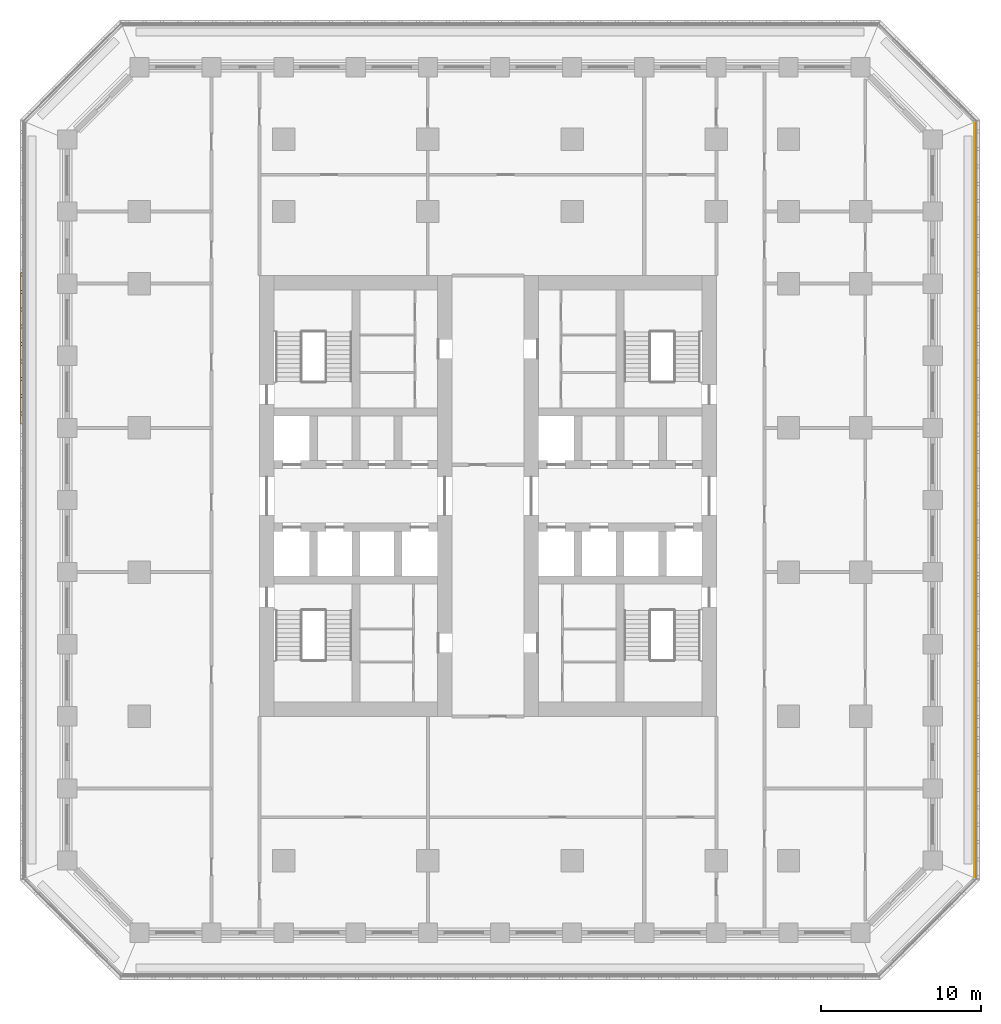
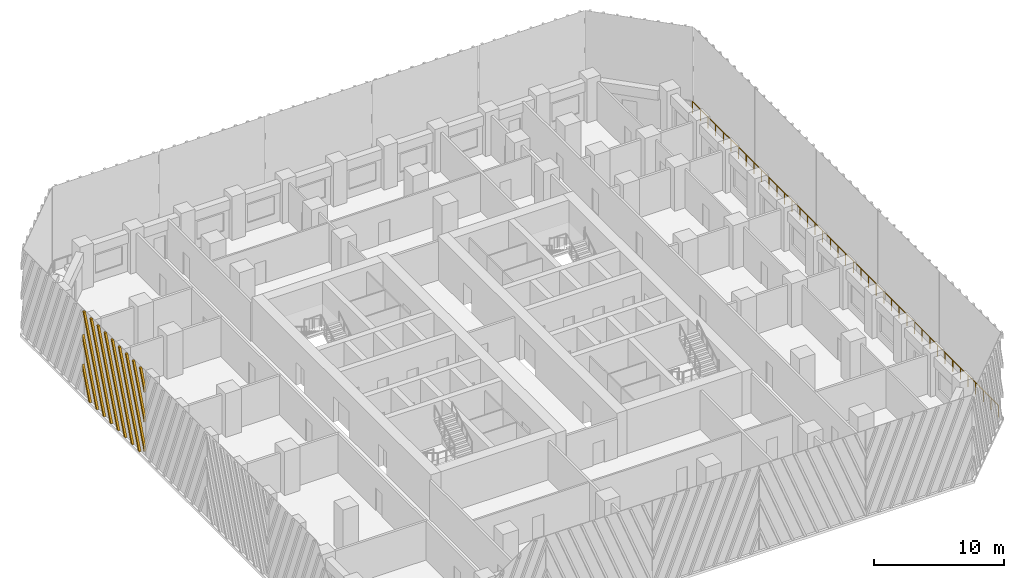
# One storey, part 14 of 19: 1 railing, 1 shading device.
"""IFC4 building model written with IfcOpenShell, lengths in metres."""

from ifc_helpers import new_model, si_unit, direction, frame, origin, origin_2d, place, context, subcontext, project, spatial, polyline, circle, outline, extrude, source, transform, mapped, material, type_object, element, save


model = new_model("IFC4")

# Units and contexts
model_context = context("Model", 3, precision=1e-05, world=origin(), true_north=direction((0.0, 1.0)))
body_context = subcontext(model_context, "Body", "Model", "MODEL_VIEW")
ifc_project = project(units=[si_unit("LENGTHUNIT", "METRE"), si_unit("AREAUNIT", "SQUARE_METRE"), si_unit("VOLUMEUNIT", "CUBIC_METRE"), si_unit("PLANEANGLEUNIT", "RADIAN"), si_unit("MASSUNIT", "GRAM", prefix="KILO")], contexts=[model_context])

# Site, building, storey
site_placement = place(None, origin())
site = spatial("IfcSite", under=ifc_project, at=site_placement, CompositionType="ELEMENT")
building_placement = place(site_placement, origin())
building = spatial("IfcBuilding", under=site, at=building_placement, Name="Corbel Stack Research Tower", CompositionType="ELEMENT")
storey_placement = place(building_placement, frame((0.0, 0.0, 90.199951171875)))
storey = spatial("IfcBuildingStorey", under=building, at=storey_placement, Name="L20", CompositionType="ELEMENT", Elevation=90.199951171875)

# Railing
ifc_material_1 = material(Name="Powder-coated steel guard", Category="steel")
railing_type = type_object("IfcRailingType", Name="Steel and glass guard 1100", PredefinedType="GUARDRAIL", material=ifc_material_1)
railing_placement = place(storey_placement, frame((34.10009765625, -19.00537109375, 0.0)))
element("IfcRailing", 1, at=railing_placement, inside=storey, type_object=railing_type, Name="Loggia guard L20 E", PredefinedType="GUARDRAIL", context=body_context, shape_type="SweptSolid", body=[
    extrude(circle(Radius=0.02392578125, at=origin_2d()), frame((0.0, 0.0, 1.076171875), z_axis=(0.0, 1.0, 0.0), x_axis=(-1.0, 0.0, 0.0)), (0.0, 0.0, 1.0), 47.0107421875),
    extrude(circle(Radius=0.02099609375, at=origin_2d()), origin(), (0.0, 0.0, 1.0), 1.052001953125),
    extrude(circle(Radius=0.02099609375, at=origin_2d()), frame((0.0, 1.17529296875, 0.0)), (0.0, 0.0, 1.0), 1.052001953125),
    extrude(circle(Radius=0.02099609375, at=origin_2d()), frame((0.0, 2.3505859375, 0.0)), (0.0, 0.0, 1.0), 1.052001953125),
    extrude(circle(Radius=0.02099609375, at=origin_2d()), frame((0.0, 3.52587890625, 0.0)), (0.0, 0.0, 1.0), 1.052001953125),
    extrude(circle(Radius=0.02099609375, at=origin_2d()), frame((0.0, 4.701171875, 0.0)), (0.0, 0.0, 1.0), 1.052001953125),
    extrude(circle(Radius=0.02099609375, at=origin_2d()), frame((0.0, 5.87646484375, 0.0)), (0.0, 0.0, 1.0), 1.052001953125),
    extrude(circle(Radius=0.02099609375, at=origin_2d()), frame((0.0, 7.051513671875, 0.0)), (0.0, 0.0, 1.0), 1.052001953125),
    extrude(circle(Radius=0.02099609375, at=origin_2d()), frame((0.0, 8.226806640625, 0.0)), (0.0, 0.0, 1.0), 1.052001953125),
    extrude(circle(Radius=0.02099609375, at=origin_2d()), frame((0.0, 9.402099609375, 0.0)), (0.0, 0.0, 1.0), 1.052001953125),
    extrude(circle(Radius=0.02099609375, at=origin_2d()), frame((0.0, 10.577392578125, 0.0)), (0.0, 0.0, 1.0), 1.052001953125),
    extrude(circle(Radius=0.02099609375, at=origin_2d()), frame((0.0, 11.752685546875, 0.0)), (0.0, 0.0, 1.0), 1.052001953125),
    extrude(circle(Radius=0.02099609375, at=origin_2d()), frame((0.0, 12.927978515625, 0.0)), (0.0, 0.0, 1.0), 1.052001953125),
    extrude(circle(Radius=0.02099609375, at=origin_2d()), frame((0.0, 14.103271484375, 0.0)), (0.0, 0.0, 1.0), 1.052001953125),
    extrude(circle(Radius=0.02099609375, at=origin_2d()), frame((0.0, 15.278564453125, 0.0)), (0.0, 0.0, 1.0), 1.052001953125),
    extrude(circle(Radius=0.02099609375, at=origin_2d()), frame((0.0, 16.453857421875, 0.0)), (0.0, 0.0, 1.0), 1.052001953125),
    extrude(circle(Radius=0.02099609375, at=origin_2d()), frame((0.0, 17.62890625, 0.0)), (0.0, 0.0, 1.0), 1.052001953125),
    extrude(circle(Radius=0.02099609375, at=origin_2d()), frame((0.0, 18.80419921875, 0.0)), (0.0, 0.0, 1.0), 1.052001953125),
    extrude(circle(Radius=0.02099609375, at=origin_2d()), frame((0.0, 19.9794921875, 0.0)), (0.0, 0.0, 1.0), 1.052001953125),
    extrude(circle(Radius=0.02099609375, at=origin_2d()), frame((0.0, 21.15478515625, 0.0)), (0.0, 0.0, 1.0), 1.052001953125),
    extrude(circle(Radius=0.02099609375, at=origin_2d()), frame((0.0, 22.330078125, 0.0)), (0.0, 0.0, 1.0), 1.052001953125),
    extrude(circle(Radius=0.02099609375, at=origin_2d()), frame((0.0, 23.50537109375, 0.0)), (0.0, 0.0, 1.0), 1.052001953125),
    extrude(circle(Radius=0.02099609375, at=origin_2d()), frame((0.0, 24.6806640625, 0.0)), (0.0, 0.0, 1.0), 1.052001953125),
    extrude(circle(Radius=0.02099609375, at=origin_2d()), frame((0.0, 25.85595703125, 0.0)), (0.0, 0.0, 1.0), 1.052001953125),
    extrude(circle(Radius=0.02099609375, at=origin_2d()), frame((0.0, 27.03125, 0.0)), (0.0, 0.0, 1.0), 1.052001953125),
    extrude(circle(Radius=0.02099609375, at=origin_2d()), frame((0.0, 28.20654296875, 0.0)), (0.0, 0.0, 1.0), 1.052001953125),
    extrude(circle(Radius=0.02099609375, at=origin_2d()), frame((0.0, 29.3818359375, 0.0)), (0.0, 0.0, 1.0), 1.052001953125),
    extrude(circle(Radius=0.02099609375, at=origin_2d()), frame((0.0, 30.556884765625, 0.0)), (0.0, 0.0, 1.0), 1.052001953125),
    extrude(circle(Radius=0.02099609375, at=origin_2d()), frame((0.0, 31.732177734375, 0.0)), (0.0, 0.0, 1.0), 1.052001953125),
    extrude(circle(Radius=0.02099609375, at=origin_2d()), frame((0.0, 32.907470703125, 0.0)), (0.0, 0.0, 1.0), 1.052001953125),
    extrude(circle(Radius=0.02099609375, at=origin_2d()), frame((0.0, 34.082763671875, 0.0)), (0.0, 0.0, 1.0), 1.052001953125),
    extrude(circle(Radius=0.02099609375, at=origin_2d()), frame((0.0, 35.258056640625, 0.0)), (0.0, 0.0, 1.0), 1.052001953125),
    extrude(circle(Radius=0.02099609375, at=origin_2d()), frame((0.0, 36.433349609375, 0.0)), (0.0, 0.0, 1.0), 1.052001953125),
    extrude(circle(Radius=0.02099609375, at=origin_2d()), frame((0.0, 37.608642578125, 0.0)), (0.0, 0.0, 1.0), 1.052001953125),
    extrude(circle(Radius=0.02099609375, at=origin_2d()), frame((0.0, 38.783935546875, 0.0)), (0.0, 0.0, 1.0), 1.052001953125),
    extrude(circle(Radius=0.02099609375, at=origin_2d()), frame((0.0, 39.959228515625, 0.0)), (0.0, 0.0, 1.0), 1.052001953125),
    extrude(circle(Radius=0.02099609375, at=origin_2d()), frame((0.0, 41.13427734375, 0.0)), (0.0, 0.0, 1.0), 1.052001953125),
    extrude(circle(Radius=0.02099609375, at=origin_2d()), frame((0.0, 42.3095703125, 0.0)), (0.0, 0.0, 1.0), 1.052001953125),
    extrude(circle(Radius=0.02099609375, at=origin_2d()), frame((0.0, 43.48486328125, 0.0)), (0.0, 0.0, 1.0), 1.052001953125),
    extrude(circle(Radius=0.02099609375, at=origin_2d()), frame((0.0, 44.66015625, 0.0)), (0.0, 0.0, 1.0), 1.052001953125),
    extrude(circle(Radius=0.02099609375, at=origin_2d()), frame((0.0, 45.83544921875, 0.0)), (0.0, 0.0, 1.0), 1.052001953125),
    extrude(circle(Radius=0.02099609375, at=origin_2d()), frame((0.0, 47.0107421875, 0.0)), (0.0, 0.0, 1.0), 1.052001953125),
])

# Shading device
ifc_material_2 = material(Name="Precast terracotta", Category="masonry")
shading_device_type = type_object("IfcShadingDeviceType", Name="Terracotta screen panel", PredefinedType="USERDEFINED", material=ifc_material_2)
shared_shape = source(origin(), body_context, "Body", "SweptSolid", [
    extrude(outline(polyline([(1.14453125, 0.0), (0.0, 2.930419921875), (0.0, 2.44384765625), (0.95458984375, 0.0), (1.14453125, 0.0)])), frame((0.0, 0.0, 0.0), z_axis=(0.0, -1.0, 0.0), x_axis=(1.0, 0.0, 0.0)), (0.0, 0.0, 1.0), 0.179931640625),
    extrude(outline(polyline([(2.22900390625, 0.0), (0.0, 5.707763671875), (0.0, 5.22119140625), (2.0390625, 0.0), (2.22900390625, 0.0)])), frame((0.0, 0.0, 0.0), z_axis=(0.0, -1.0, 0.0), x_axis=(1.0, 0.0, 0.0)), (0.0, 0.0, 1.0), 0.179931640625),
    extrude(outline(polyline([(3.313720703125, 0.0), (0.208984375, 7.949951171875), (0.01904296875, 7.949951171875), (3.123779296875, 0.0), (3.313720703125, 0.0)])), frame((0.0, 0.0, 0.0), z_axis=(0.0, -1.0, 0.0), x_axis=(1.0, 0.0, 0.0)), (0.0, 0.0, 1.0), 0.179931640625),
    extrude(outline(polyline([(4.3984375, 0.0), (1.293701171875, 7.949951171875), (1.103515625, 7.949951171875), (4.20849609375, 0.0), (4.3984375, 0.0)])), frame((0.0, 0.0, 0.0), z_axis=(0.0, -1.0, 0.0), x_axis=(1.0, 0.0, 0.0)), (0.0, 0.0, 1.0), 0.179931640625),
    extrude(outline(polyline([(5.483154296875, 0.0), (2.37841796875, 7.949951171875), (2.188232421875, 7.949951171875), (5.293212890625, 0.0), (5.483154296875, 0.0)])), frame((0.0, 0.0, 0.0), z_axis=(0.0, -1.0, 0.0), x_axis=(1.0, 0.0, 0.0)), (0.0, 0.0, 1.0), 0.179931640625),
    extrude(outline(polyline([(6.56787109375, 0.0), (3.462890625, 7.949951171875), (3.27294921875, 7.949951171875), (6.377685546875, 0.0), (6.56787109375, 0.0)])), frame((0.0, 0.0, 0.0), z_axis=(0.0, -1.0, 0.0), x_axis=(1.0, 0.0, 0.0)), (0.0, 0.0, 1.0), 0.179931640625),
    extrude(outline(polyline([(7.652587890625, 0.0), (4.547607421875, 7.949951171875), (4.357666015625, 7.949951171875), (7.46240234375, 0.0), (7.652587890625, 0.0)])), frame((0.0, 0.0, 0.0), z_axis=(0.0, -1.0, 0.0), x_axis=(1.0, 0.0, 0.0)), (0.0, 0.0, 1.0), 0.179931640625),
    extrude(outline(polyline([(8.737060546875, 0.0), (5.63232421875, 7.949951171875), (5.4423828125, 7.949951171875), (8.547119140625, 0.0), (8.737060546875, 0.0)])), frame((0.0, 0.0, 0.0), z_axis=(0.0, -1.0, 0.0), x_axis=(1.0, 0.0, 0.0)), (0.0, 0.0, 1.0), 0.179931640625),
    extrude(outline(polyline([(6.716796875, 7.949951171875), (6.52685546875, 7.949951171875), (9.45556640625, 0.451171875), (9.45556640625, 0.9375), (6.716796875, 7.949951171875)])), frame((0.0, 0.0, 0.0), z_axis=(0.0, -1.0, 0.0), x_axis=(1.0, 0.0, 0.0)), (0.0, 0.0, 1.0), 0.179931640625),
    extrude(outline(polyline([(7.801513671875, 7.949951171875), (7.611572265625, 7.949951171875), (9.45556640625, 3.228515625), (9.45556640625, 3.71484375), (7.801513671875, 7.949951171875)])), frame((0.0, 0.0, 0.0), z_axis=(0.0, -1.0, 0.0), x_axis=(1.0, 0.0, 0.0)), (0.0, 0.0, 1.0), 0.179931640625),
    extrude(outline(polyline([(8.88623046875, 7.949951171875), (8.6962890625, 7.949951171875), (9.45556640625, 6.005615234375), (9.45556640625, 6.4921875), (8.88623046875, 7.949951171875)])), frame((0.0, 0.0, 0.0), z_axis=(0.0, -1.0, 0.0), x_axis=(1.0, 0.0, 0.0)), (0.0, 0.0, 1.0), 0.179931640625),
])
shading_device_placement = place(storey_placement, frame((-25.25, 18.68359375, 0.0), z_axis=(0.0, 0.0, 1.0), x_axis=(0.0, -1.0, 0.0)))
element("IfcShadingDevice", 2, at=shading_device_placement, inside=storey, type_object=shading_device_type, Name="Terracotta screen L20 W2", ObjectType="SCREEN", PredefinedType="USERDEFINED", context=body_context, shape_type="MappedRepresentation", body=[
    mapped(shared_shape, transform((0.0, 0.0, 0.0))),
])

save(model, "model.ifc")
